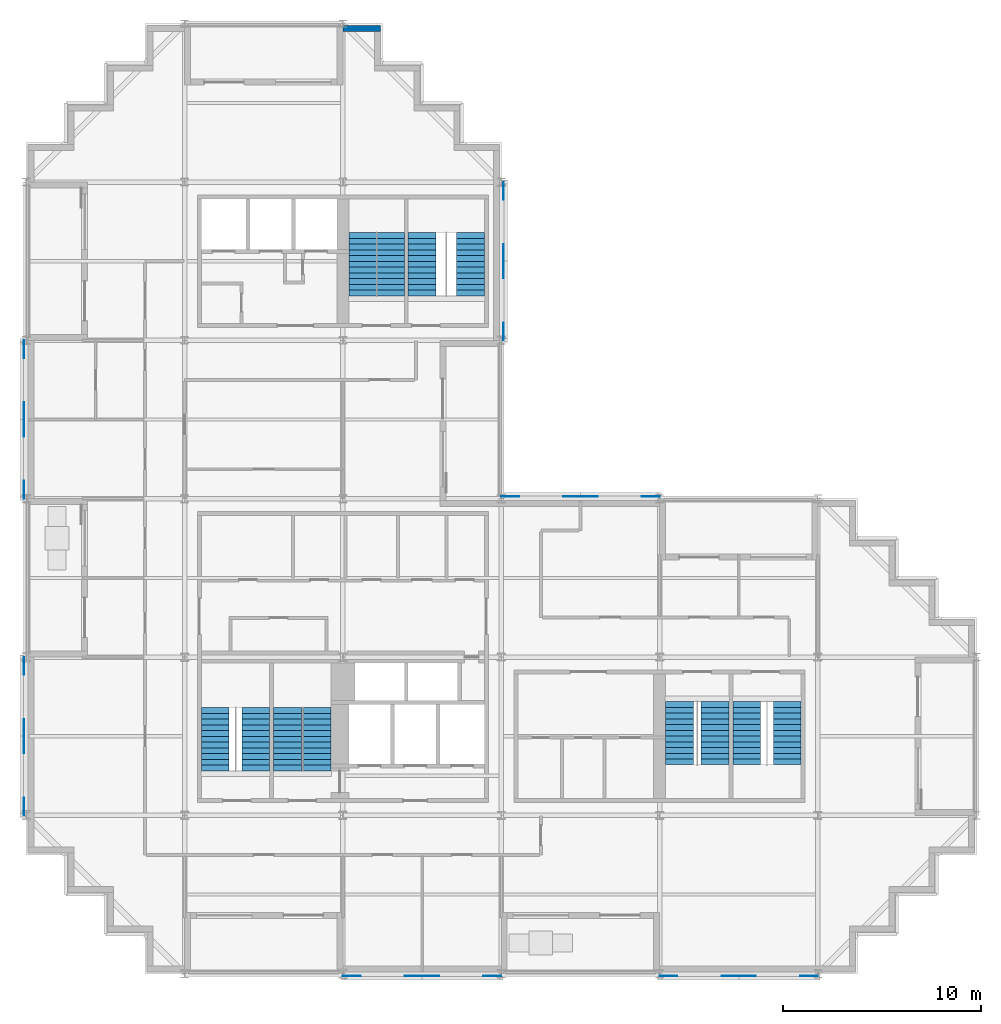
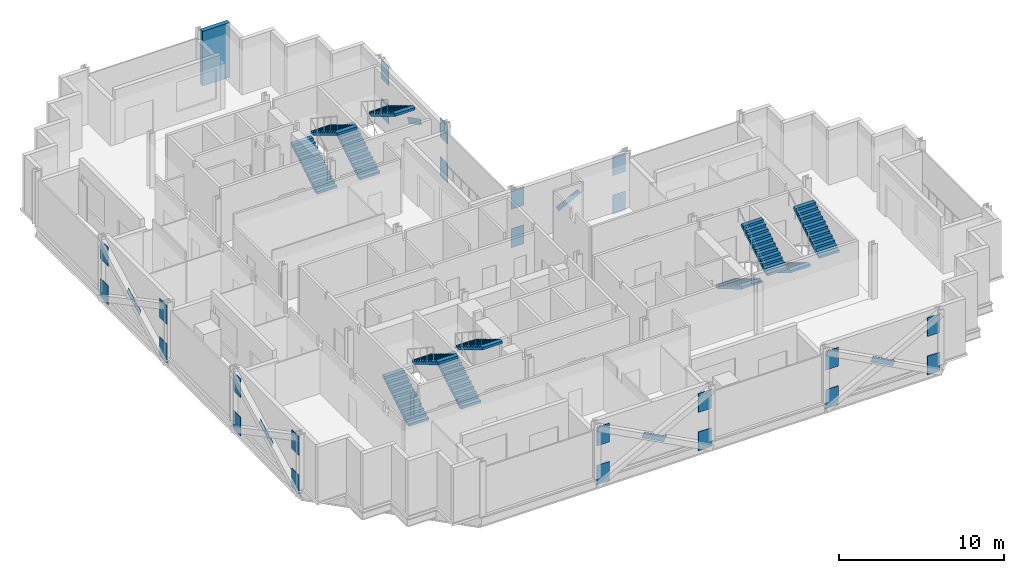
# One storey, part 9 of 12: 30 discrete accessories, 12 stair flights, 1 wall, 6 elements without a shape of their own.
"""IFC4 building model written with IfcOpenShell, lengths in metres."""

from ifc_helpers import new_model, si_unit, direction, frame, frame_2d, origin, origin_2d, place, context, subcontext, project, spatial, polyline, rectangle, outline, extrude, material, layer, layer_set, material_profile, profile_set, type_object, element, aggregate, save


model = new_model("IFC4")

# Units and contexts
model_context = context("Model", 3, precision=1e-05, world=origin(), true_north=direction((0.0, 1.0)))
body_context = subcontext(model_context, "Body", "Model", "MODEL_VIEW")
ifc_project = project(units=[si_unit("LENGTHUNIT", "METRE"), si_unit("AREAUNIT", "SQUARE_METRE"), si_unit("VOLUMEUNIT", "CUBIC_METRE"), si_unit("PLANEANGLEUNIT", "RADIAN"), si_unit("MASSUNIT", "GRAM", prefix="KILO")], contexts=[model_context])

# Site, building, storey
site_placement = place(None, origin())
site = spatial("IfcSite", under=ifc_project, at=site_placement, CompositionType="ELEMENT")
building_placement = place(site_placement, origin())
building = spatial("IfcBuilding", under=site, at=building_placement, Name="Immortelle Media Tower", CompositionType="ELEMENT")
storey_placement = place(building_placement, frame((0.0, 0.0, 149.39990234375)))
storey = spatial("IfcBuildingStorey", under=building, at=storey_placement, Name="L30", CompositionType="ELEMENT", Elevation=149.39990234375)

# Wall
ifc_material_1 = material(Name="Pale aluminium cladding panel", Category="aluminium")
ifc_layer_1 = layer(ifc_material_1, 0.030029296875)
ifc_material_2 = material(Name="Steel ASTM A653 SS Gr 50 stud frame with mineral wool", Category="steel")
ifc_layer_2 = layer(ifc_material_2, 0.257568359375)
ifc_material_3 = material(Name="Moisture-resistant gypsum board", Category="gypsum")
ifc_layer_3 = layer(ifc_material_3, 0.012451171875)
ifc_layer_set = layer_set([ifc_layer_1, ifc_layer_2, ifc_layer_3], Name="Steel ASTM A653 SS Gr 50 stud frame with mineral wool")
wall_type = type_object("IfcWallType", Name="Facade wall 300", PredefinedType="SOLIDWALL", material=ifc_layer_set)
wall_placement = place(storey_placement, frame((17.89990234375, 47.75, 0.0), z_axis=(0.0, 0.0, 1.0), x_axis=(-1.0, 0.0, 0.0)))
element("IfcWall", 1, at=wall_placement, inside=storey, type_object=wall_type, Name="Facade wall L30 N28", PredefinedType="SOLIDWALL", context=body_context, shape_type="SweptSolid", body=[
    extrude(rectangle(XDim=1.89990234375, YDim=0.300048828125, at=frame_2d((0.949951171875, 0.0))), origin(), (0.0, 0.0, 1.0), 4.050048828125),
])

# Stair, stair flights
ifc_material_4 = material(Name="Steel ASTM A992 Gr 50", Category="steel")
stair_type = type_object("IfcStairType", Name="Stair with flights", PredefinedType="DOUBLE_RETURN_STAIR", material=ifc_material_4)
stair_1_placement = place(storey_placement, origin())
stair_1 = element("IfcStair", 2, at=stair_1_placement, inside=storey, type_object=stair_type, Name="Exit stair SW1", PredefinedType="DOUBLE_RETURN_STAIR")
stair_flight_type = type_object("IfcStairFlightType", Name="Stair flight 1400", PredefinedType="STRAIGHT", material=ifc_material_4)
stair_flight_1_placement = place(storey_placement, frame((9.550048828125, 10.25, 0.0), z_axis=(0.0, 0.0, 1.0), x_axis=(0.0, 1.0, 0.0)))
stair_flight_1 = element("IfcStairFlight", 3, at=stair_flight_1_placement, type_object=stair_flight_type, Name="ST SW1 flight 1", NumberOfRisers=12, NumberOfTreads=11, PredefinedType="STRAIGHT", RiserHeight=0.175, TreadLength=0.29, context=body_context, shape_type="SweptSolid", body=[
    extrude(outline(polyline([(0.0, 0.0), (0.0, 0.175048828125), (0.2900390625, 0.175048828125), (0.2900390625, 0.35009765625), (0.580078125, 0.35009765625), (0.580078125, 0.52490234375), (0.8701171875, 0.52490234375), (0.8701171875, 0.699951171875), (1.159912109375, 0.699951171875), (1.159912109375, 0.875), (1.449951171875, 0.875), (1.449951171875, 1.050048828125), (1.739990234375, 1.050048828125), (1.739990234375, 1.22509765625), (2.030029296875, 1.22509765625), (2.030029296875, 1.39990234375), (2.320068359375, 1.39990234375), (2.320068359375, 1.574951171875), (2.610107421875, 1.574951171875), (2.610107421875, 1.75), (2.89990234375, 1.75), (2.89990234375, 1.925048828125), (3.18994140625, 1.925048828125), (3.18994140625, 2.10009765625), (3.18994140625, 1.75), (0.2900390625, 0.0), (0.0, 0.0)])), frame((0.0, 0.699951171875, 0.0), z_axis=(0.0, -1.0, 0.0), x_axis=(1.0, 0.0, 0.0)), (0.0, 0.0, 1.0), 1.39990234375),
])
stair_flight_2_placement = place(storey_placement, frame((11.60009765625, 13.43994140625, 2.10009765625), z_axis=(0.0, 0.0, 1.0), x_axis=(0.0, -1.0, 0.0)))
stair_flight_2 = element("IfcStairFlight", 4, at=stair_flight_2_placement, type_object=stair_flight_type, Name="ST SW1 flight 2", NumberOfRisers=12, NumberOfTreads=11, PredefinedType="STRAIGHT", RiserHeight=0.175, TreadLength=0.29, context=body_context, shape_type="SweptSolid", body=[
    extrude(outline(polyline([(0.0, 0.0), (0.0, 0.175048828125), (0.2900390625, 0.175048828125), (0.2900390625, 0.35009765625), (0.580078125, 0.35009765625), (0.580078125, 0.52490234375), (0.8701171875, 0.52490234375), (0.8701171875, 0.699951171875), (1.159912109375, 0.699951171875), (1.159912109375, 0.875), (1.449951171875, 0.875), (1.449951171875, 1.050048828125), (1.739990234375, 1.050048828125), (1.739990234375, 1.22509765625), (2.030029296875, 1.22509765625), (2.030029296875, 1.39990234375), (2.320068359375, 1.39990234375), (2.320068359375, 1.574951171875), (2.610107421875, 1.574951171875), (2.610107421875, 1.75), (2.89990234375, 1.75), (2.89990234375, 1.925048828125), (3.18994140625, 1.925048828125), (3.18994140625, 2.10009765625), (3.18994140625, 1.75), (0.2900390625, 0.0), (0.0, 0.0)])), frame((0.0, 0.699951171875, 0.0), z_axis=(0.0, -1.0, 0.0), x_axis=(1.0, 0.0, 0.0)), (0.0, 0.0, 1.0), 1.39990234375),
])
aggregate(stair_1, [stair_flight_1, stair_flight_2])

stair_2_placement = place(storey_placement, origin())
stair_2 = element("IfcStair", 5, at=stair_2_placement, inside=storey, type_object=stair_type, Name="Exit stair SW2", PredefinedType="DOUBLE_RETURN_STAIR")
stair_flight_3_placement = place(storey_placement, frame((13.199951171875, 10.25, 0.0), z_axis=(0.0, 0.0, 1.0), x_axis=(0.0, 1.0, 0.0)))
stair_flight_3 = element("IfcStairFlight", 6, at=stair_flight_3_placement, type_object=stair_flight_type, Name="ST SW2 flight 1", NumberOfRisers=12, NumberOfTreads=11, PredefinedType="STRAIGHT", RiserHeight=0.175, TreadLength=0.29, context=body_context, shape_type="SweptSolid", body=[
    extrude(outline(polyline([(0.0, 0.0), (0.0, 0.175048828125), (0.2900390625, 0.175048828125), (0.2900390625, 0.35009765625), (0.580078125, 0.35009765625), (0.580078125, 0.52490234375), (0.8701171875, 0.52490234375), (0.8701171875, 0.699951171875), (1.159912109375, 0.699951171875), (1.159912109375, 0.875), (1.449951171875, 0.875), (1.449951171875, 1.050048828125), (1.739990234375, 1.050048828125), (1.739990234375, 1.22509765625), (2.030029296875, 1.22509765625), (2.030029296875, 1.39990234375), (2.320068359375, 1.39990234375), (2.320068359375, 1.574951171875), (2.610107421875, 1.574951171875), (2.610107421875, 1.75), (2.89990234375, 1.75), (2.89990234375, 1.925048828125), (3.18994140625, 1.925048828125), (3.18994140625, 2.10009765625), (3.18994140625, 1.75), (0.2900390625, 0.0), (0.0, 0.0)])), frame((0.0, 0.699951171875, 0.0), z_axis=(0.0, -1.0, 0.0), x_axis=(1.0, 0.0, 0.0)), (0.0, 0.0, 1.0), 1.39990234375),
])
stair_flight_4_placement = place(storey_placement, frame((14.699951171875, 13.43994140625, 2.10009765625), z_axis=(0.0, 0.0, 1.0), x_axis=(0.0, -1.0, 0.0)))
stair_flight_4 = element("IfcStairFlight", 7, at=stair_flight_4_placement, type_object=stair_flight_type, Name="ST SW2 flight 2", NumberOfRisers=12, NumberOfTreads=11, PredefinedType="STRAIGHT", RiserHeight=0.175, TreadLength=0.29, context=body_context, shape_type="SweptSolid", body=[
    extrude(outline(polyline([(0.0, 0.0), (0.0, 0.175048828125), (0.2900390625, 0.175048828125), (0.2900390625, 0.35009765625), (0.580078125, 0.35009765625), (0.580078125, 0.52490234375), (0.8701171875, 0.52490234375), (0.8701171875, 0.699951171875), (1.159912109375, 0.699951171875), (1.159912109375, 0.875), (1.449951171875, 0.875), (1.449951171875, 1.050048828125), (1.739990234375, 1.050048828125), (1.739990234375, 1.22509765625), (2.030029296875, 1.22509765625), (2.030029296875, 1.39990234375), (2.320068359375, 1.39990234375), (2.320068359375, 1.574951171875), (2.610107421875, 1.574951171875), (2.610107421875, 1.75), (2.89990234375, 1.75), (2.89990234375, 1.925048828125), (3.18994140625, 1.925048828125), (3.18994140625, 2.10009765625), (3.18994140625, 1.75), (0.2900390625, 0.0), (0.0, 0.0)])), frame((0.0, 0.699951171875, 0.0), z_axis=(0.0, -1.0, 0.0), x_axis=(1.0, 0.0, 0.0)), (0.0, 0.0, 1.0), 1.39990234375),
])
aggregate(stair_2, [stair_flight_3, stair_flight_4])

stair_3_placement = place(storey_placement, origin())
stair_3 = element("IfcStair", 8, at=stair_3_placement, inside=storey, type_object=stair_type, Name="Exit stair SE1", PredefinedType="DOUBLE_RETURN_STAIR")
stair_flight_5_placement = place(storey_placement, frame((33.0, 13.75, 0.0), z_axis=(0.0, 0.0, 1.0), x_axis=(0.0, -1.0, 0.0)))
stair_flight_5 = element("IfcStairFlight", 9, at=stair_flight_5_placement, type_object=stair_flight_type, Name="ST SE1 flight 1", NumberOfRisers=12, NumberOfTreads=11, PredefinedType="STRAIGHT", RiserHeight=0.175, TreadLength=0.29, context=body_context, shape_type="SweptSolid", body=[
    extrude(outline(polyline([(0.0, 0.0), (0.0, 0.175048828125), (0.2900390625, 0.175048828125), (0.2900390625, 0.35009765625), (0.580078125, 0.35009765625), (0.580078125, 0.52490234375), (0.8701171875, 0.52490234375), (0.8701171875, 0.699951171875), (1.159912109375, 0.699951171875), (1.159912109375, 0.875), (1.449951171875, 0.875), (1.449951171875, 1.050048828125), (1.739990234375, 1.050048828125), (1.739990234375, 1.22509765625), (2.030029296875, 1.22509765625), (2.030029296875, 1.39990234375), (2.320068359375, 1.39990234375), (2.320068359375, 1.574951171875), (2.610107421875, 1.574951171875), (2.610107421875, 1.75), (2.89990234375, 1.75), (2.89990234375, 1.925048828125), (3.18994140625, 1.925048828125), (3.18994140625, 2.10009765625), (3.18994140625, 1.75), (0.2900390625, 0.0), (0.0, 0.0)])), frame((0.0, 0.699951171875, 0.0), z_axis=(0.0, -1.0, 0.0), x_axis=(1.0, 0.0, 0.0)), (0.0, 0.0, 1.0), 1.39990234375),
])
stair_flight_6_placement = place(storey_placement, frame((34.800048828125, 10.56005859375, 2.10009765625), z_axis=(0.0, 0.0, 1.0), x_axis=(0.0, 1.0, 0.0)))
stair_flight_6 = element("IfcStairFlight", 10, at=stair_flight_6_placement, type_object=stair_flight_type, Name="ST SE1 flight 2", NumberOfRisers=12, NumberOfTreads=11, PredefinedType="STRAIGHT", RiserHeight=0.175, TreadLength=0.29, context=body_context, shape_type="SweptSolid", body=[
    extrude(outline(polyline([(0.0, 0.0), (0.0, 0.175048828125), (0.2900390625, 0.175048828125), (0.2900390625, 0.35009765625), (0.580078125, 0.35009765625), (0.580078125, 0.52490234375), (0.8701171875, 0.52490234375), (0.8701171875, 0.699951171875), (1.159912109375, 0.699951171875), (1.159912109375, 0.875), (1.449951171875, 0.875), (1.449951171875, 1.050048828125), (1.739990234375, 1.050048828125), (1.739990234375, 1.22509765625), (2.030029296875, 1.22509765625), (2.030029296875, 1.39990234375), (2.320068359375, 1.39990234375), (2.320068359375, 1.574951171875), (2.610107421875, 1.574951171875), (2.610107421875, 1.75), (2.89990234375, 1.75), (2.89990234375, 1.925048828125), (3.18994140625, 1.925048828125), (3.18994140625, 2.10009765625), (3.18994140625, 1.75), (0.2900390625, 0.0), (0.0, 0.0)])), frame((0.0, 0.699951171875, 0.0), z_axis=(0.0, -1.0, 0.0), x_axis=(1.0, 0.0, 0.0)), (0.0, 0.0, 1.0), 1.39990234375),
])
aggregate(stair_3, [stair_flight_5, stair_flight_6])

stair_4_placement = place(storey_placement, origin())
stair_4 = element("IfcStair", 11, at=stair_4_placement, inside=storey, type_object=stair_type, Name="Exit stair SE2", PredefinedType="DOUBLE_RETURN_STAIR")
stair_flight_7_placement = place(storey_placement, frame((36.39990234375, 13.75, 0.0), z_axis=(0.0, 0.0, 1.0), x_axis=(0.0, -1.0, 0.0)))
stair_flight_7 = element("IfcStairFlight", 12, at=stair_flight_7_placement, type_object=stair_flight_type, Name="ST SE2 flight 1", NumberOfRisers=12, NumberOfTreads=11, PredefinedType="STRAIGHT", RiserHeight=0.175, TreadLength=0.29, context=body_context, shape_type="SweptSolid", body=[
    extrude(outline(polyline([(0.0, 0.0), (0.0, 0.175048828125), (0.2900390625, 0.175048828125), (0.2900390625, 0.35009765625), (0.580078125, 0.35009765625), (0.580078125, 0.52490234375), (0.8701171875, 0.52490234375), (0.8701171875, 0.699951171875), (1.159912109375, 0.699951171875), (1.159912109375, 0.875), (1.449951171875, 0.875), (1.449951171875, 1.050048828125), (1.739990234375, 1.050048828125), (1.739990234375, 1.22509765625), (2.030029296875, 1.22509765625), (2.030029296875, 1.39990234375), (2.320068359375, 1.39990234375), (2.320068359375, 1.574951171875), (2.610107421875, 1.574951171875), (2.610107421875, 1.75), (2.89990234375, 1.75), (2.89990234375, 1.925048828125), (3.18994140625, 1.925048828125), (3.18994140625, 2.10009765625), (3.18994140625, 1.75), (0.2900390625, 0.0), (0.0, 0.0)])), frame((0.0, 0.699951171875, 0.0), z_axis=(0.0, -1.0, 0.0), x_axis=(1.0, 0.0, 0.0)), (0.0, 0.0, 1.0), 1.39990234375),
])
stair_flight_8_placement = place(storey_placement, frame((38.449951171875, 10.56005859375, 2.10009765625), z_axis=(0.0, 0.0, 1.0), x_axis=(0.0, 1.0, 0.0)))
stair_flight_8 = element("IfcStairFlight", 13, at=stair_flight_8_placement, type_object=stair_flight_type, Name="ST SE2 flight 2", NumberOfRisers=12, NumberOfTreads=11, PredefinedType="STRAIGHT", RiserHeight=0.175, TreadLength=0.29, context=body_context, shape_type="SweptSolid", body=[
    extrude(outline(polyline([(0.0, 0.0), (0.0, 0.175048828125), (0.2900390625, 0.175048828125), (0.2900390625, 0.35009765625), (0.580078125, 0.35009765625), (0.580078125, 0.52490234375), (0.8701171875, 0.52490234375), (0.8701171875, 0.699951171875), (1.159912109375, 0.699951171875), (1.159912109375, 0.875), (1.449951171875, 0.875), (1.449951171875, 1.050048828125), (1.739990234375, 1.050048828125), (1.739990234375, 1.22509765625), (2.030029296875, 1.22509765625), (2.030029296875, 1.39990234375), (2.320068359375, 1.39990234375), (2.320068359375, 1.574951171875), (2.610107421875, 1.574951171875), (2.610107421875, 1.75), (2.89990234375, 1.75), (2.89990234375, 1.925048828125), (3.18994140625, 1.925048828125), (3.18994140625, 2.10009765625), (3.18994140625, 1.75), (0.2900390625, 0.0), (0.0, 0.0)])), frame((0.0, 0.699951171875, 0.0), z_axis=(0.0, -1.0, 0.0), x_axis=(1.0, 0.0, 0.0)), (0.0, 0.0, 1.0), 1.39990234375),
])
aggregate(stair_4, [stair_flight_7, stair_flight_8])

stair_5_placement = place(storey_placement, origin())
stair_5 = element("IfcStair", 14, at=stair_5_placement, inside=storey, type_object=stair_type, Name="Exit stair NW1", PredefinedType="DOUBLE_RETURN_STAIR")
stair_flight_9_placement = place(storey_placement, frame((17.0, 34.25, 0.0), z_axis=(0.0, 0.0, 1.0), x_axis=(0.0, 1.0, 0.0)))
stair_flight_9 = element("IfcStairFlight", 15, at=stair_flight_9_placement, type_object=stair_flight_type, Name="ST NW1 flight 1", NumberOfRisers=12, NumberOfTreads=11, PredefinedType="STRAIGHT", RiserHeight=0.175, TreadLength=0.29, context=body_context, shape_type="SweptSolid", body=[
    extrude(outline(polyline([(0.0, 0.0), (0.0, 0.175048828125), (0.2900390625, 0.175048828125), (0.2900390625, 0.35009765625), (0.580078125, 0.35009765625), (0.580078125, 0.52490234375), (0.8701171875, 0.52490234375), (0.8701171875, 0.699951171875), (1.159912109375, 0.699951171875), (1.159912109375, 0.875), (1.449951171875, 0.875), (1.449951171875, 1.050048828125), (1.739990234375, 1.050048828125), (1.739990234375, 1.22509765625), (2.030029296875, 1.22509765625), (2.030029296875, 1.39990234375), (2.320068359375, 1.39990234375), (2.320068359375, 1.574951171875), (2.610107421875, 1.574951171875), (2.610107421875, 1.75), (2.89990234375, 1.75), (2.89990234375, 1.925048828125), (3.18994140625, 1.925048828125), (3.18994140625, 2.10009765625), (3.18994140625, 1.75), (0.2900390625, 0.0), (0.0, 0.0)])), frame((0.0, 0.699951171875, 0.0), z_axis=(0.0, -1.0, 0.0), x_axis=(1.0, 0.0, 0.0)), (0.0, 0.0, 1.0), 1.39990234375),
])
stair_flight_10_placement = place(storey_placement, frame((18.39990234375, 37.43994140625, 2.10009765625), z_axis=(0.0, 0.0, 1.0), x_axis=(0.0, -1.0, 0.0)))
stair_flight_10 = element("IfcStairFlight", 16, at=stair_flight_10_placement, type_object=stair_flight_type, Name="ST NW1 flight 2", NumberOfRisers=12, NumberOfTreads=11, PredefinedType="STRAIGHT", RiserHeight=0.175, TreadLength=0.29, context=body_context, shape_type="SweptSolid", body=[
    extrude(outline(polyline([(0.0, 0.0), (0.0, 0.175048828125), (0.2900390625, 0.175048828125), (0.2900390625, 0.35009765625), (0.580078125, 0.35009765625), (0.580078125, 0.52490234375), (0.8701171875, 0.52490234375), (0.8701171875, 0.699951171875), (1.159912109375, 0.699951171875), (1.159912109375, 0.875), (1.449951171875, 0.875), (1.449951171875, 1.050048828125), (1.739990234375, 1.050048828125), (1.739990234375, 1.22509765625), (2.030029296875, 1.22509765625), (2.030029296875, 1.39990234375), (2.320068359375, 1.39990234375), (2.320068359375, 1.574951171875), (2.610107421875, 1.574951171875), (2.610107421875, 1.75), (2.89990234375, 1.75), (2.89990234375, 1.925048828125), (3.18994140625, 1.925048828125), (3.18994140625, 2.10009765625), (3.18994140625, 1.75), (0.2900390625, 0.0), (0.0, 0.0)])), frame((0.0, 0.699951171875, 0.0), z_axis=(0.0, -1.0, 0.0), x_axis=(1.0, 0.0, 0.0)), (0.0, 0.0, 1.0), 1.39990234375),
])
aggregate(stair_5, [stair_flight_9, stair_flight_10])

stair_6_placement = place(storey_placement, origin())
stair_6 = element("IfcStair", 17, at=stair_6_placement, inside=storey, type_object=stair_type, Name="Exit stair NW2", PredefinedType="DOUBLE_RETURN_STAIR")
stair_flight_11_placement = place(storey_placement, frame((20.0, 34.25, 0.0), z_axis=(0.0, 0.0, 1.0), x_axis=(0.0, 1.0, 0.0)))
stair_flight_11 = element("IfcStairFlight", 18, at=stair_flight_11_placement, type_object=stair_flight_type, Name="ST NW2 flight 1", NumberOfRisers=12, NumberOfTreads=11, PredefinedType="STRAIGHT", RiserHeight=0.175, TreadLength=0.29, context=body_context, shape_type="SweptSolid", body=[
    extrude(outline(polyline([(0.0, 0.0), (0.0, 0.175048828125), (0.2900390625, 0.175048828125), (0.2900390625, 0.35009765625), (0.580078125, 0.35009765625), (0.580078125, 0.52490234375), (0.8701171875, 0.52490234375), (0.8701171875, 0.699951171875), (1.159912109375, 0.699951171875), (1.159912109375, 0.875), (1.449951171875, 0.875), (1.449951171875, 1.050048828125), (1.739990234375, 1.050048828125), (1.739990234375, 1.22509765625), (2.030029296875, 1.22509765625), (2.030029296875, 1.39990234375), (2.320068359375, 1.39990234375), (2.320068359375, 1.574951171875), (2.610107421875, 1.574951171875), (2.610107421875, 1.75), (2.89990234375, 1.75), (2.89990234375, 1.925048828125), (3.18994140625, 1.925048828125), (3.18994140625, 2.10009765625), (3.18994140625, 1.75), (0.2900390625, 0.0), (0.0, 0.0)])), frame((0.0, 0.699951171875, 0.0), z_axis=(0.0, -1.0, 0.0), x_axis=(1.0, 0.0, 0.0)), (0.0, 0.0, 1.0), 1.39990234375),
])
stair_flight_12_placement = place(storey_placement, frame((22.449951171875, 37.43994140625, 2.10009765625), z_axis=(0.0, 0.0, 1.0), x_axis=(0.0, -1.0, 0.0)))
stair_flight_12 = element("IfcStairFlight", 19, at=stair_flight_12_placement, type_object=stair_flight_type, Name="ST NW2 flight 2", NumberOfRisers=12, NumberOfTreads=11, PredefinedType="STRAIGHT", RiserHeight=0.175, TreadLength=0.29, context=body_context, shape_type="SweptSolid", body=[
    extrude(outline(polyline([(0.0, 0.0), (0.0, 0.175048828125), (0.2900390625, 0.175048828125), (0.2900390625, 0.35009765625), (0.580078125, 0.35009765625), (0.580078125, 0.52490234375), (0.8701171875, 0.52490234375), (0.8701171875, 0.699951171875), (1.159912109375, 0.699951171875), (1.159912109375, 0.875), (1.449951171875, 0.875), (1.449951171875, 1.050048828125), (1.739990234375, 1.050048828125), (1.739990234375, 1.22509765625), (2.030029296875, 1.22509765625), (2.030029296875, 1.39990234375), (2.320068359375, 1.39990234375), (2.320068359375, 1.574951171875), (2.610107421875, 1.574951171875), (2.610107421875, 1.75), (2.89990234375, 1.75), (2.89990234375, 1.925048828125), (3.18994140625, 1.925048828125), (3.18994140625, 2.10009765625), (3.18994140625, 1.75), (0.2900390625, 0.0), (0.0, 0.0)])), frame((0.0, 0.699951171875, 0.0), z_axis=(0.0, -1.0, 0.0), x_axis=(1.0, 0.0, 0.0)), (0.0, 0.0, 1.0), 1.39990234375),
])
aggregate(stair_6, [stair_flight_11, stair_flight_12])

# Discrete accessories
ifc_material_5 = material(Name="Steel ASTM A572 Gr 50", Category="steel")
ifc_material_profile_1 = material_profile(ifc_material_5, rectangle(XDim=0.02392578125, YDim=0.406005859375, at=origin_2d()), Name="PL 24 x 406")
ifc_profile_set_1 = profile_set([ifc_material_profile_1], Name="Steel ASTM A572 Gr 50")
discrete_accessory_type_1 = type_object("IfcDiscreteAccessoryType", Name="Crossing plate XP-BR4 1750 x 406 x 24", PredefinedType="USERDEFINED", material=ifc_profile_set_1)
for number, where, z_axis, x_axis, name in (
    (20, (28.773193359375, 24.113037109375, 2.03369140625), (-0.883574054365, 0.0, -0.468291458873), (0.0, -1.0, 0.0), "Crossing plate XP-BR4 of Brace D/4-5 A and Brace D/4-5 B"),
    (21, (24.113037109375, 35.226806640625, 2.03369140625), (0.0, 0.883574054365, -0.468291458873), (-1.0, 0.0, 0.0), "Crossing plate XP-BR4 of Brace 4/E-F A and Brace 4/E-F B"),
    (22, (-0.113037109375, 28.773193359375, 2.03369140625), (0.0, -0.883574054365, -0.468291458873), (1.0, 0.0, 0.0), "Crossing plate XP-BR4 of Brace 1/D-E A and Brace 1/D-E B"),
    (23, (-0.113037109375, 12.773193359375, 2.03369140625), (0.0, -0.883574054365, -0.468291458873), (1.0, 0.0, 0.0), "Crossing plate XP-BR4 of Brace 1/B-C A and Brace 1/B-C B"),
    (24, (19.226806640625, -0.113037109375, 2.03369140625), (0.883574054365, 0.0, -0.468291458873), (0.0, 1.0, 0.0), "Crossing plate XP-BR4 of Brace A/3-4 A and Brace A/3-4 B"),
    (25, (35.226806640625, -0.113037109375, 2.03369140625), (0.883574054365, 0.0, -0.468291458873), (0.0, 1.0, 0.0), "Crossing plate XP-BR4 of Brace A/5-6 A and Brace A/5-6 B"),
):
    element("IfcDiscreteAccessory", number, at=place(storey_placement, frame(where, z_axis=z_axis, x_axis=x_axis)), inside=storey, type_object=discrete_accessory_type_1, Name=name, ObjectType="CROSSING PLATE", PredefinedType="USERDEFINED", context=body_context, shape_type="SweptSolid", body=[
        extrude(rectangle(XDim=0.02392578125, YDim=0.406005859375, at=origin_2d()), origin(), (0.0, 0.0, 1.0), 1.750244140625),
    ])
ifc_material_profile_2 = material_profile(ifc_material_5, rectangle(XDim=0.031982421875, YDim=1.39990234375, at=origin_2d()), Name="PL 32 x 1400")
ifc_profile_set_2 = profile_set([ifc_material_profile_2], Name="Steel ASTM A572 Gr 50")
discrete_accessory_type_2 = type_object("IfcDiscreteAccessoryType", Name="Gusset plate GP1 900 x 1400 x 32", PredefinedType="USERDEFINED", material=ifc_profile_set_2)
for number, where, z_axis, x_axis, name in (
    (26, (16.0, -0.113037109375, 0.20361328125), (1.0, 0.0, 0.0), (0.0, 1.0, 0.0), "Gusset plate GP1, lower end of Brace A/3-4 A"),
    (27, (24.0, -0.113037109375, 3.044189453125), (-1.0, 0.0, 0.0), (0.0, -1.0, 0.0), "Gusset plate GP1, upper end of Brace A/3-4 A"),
    (28, (24.0, -0.113037109375, 0.20361328125), (-1.0, 0.0, 0.0), (0.0, -1.0, 0.0), "Gusset plate GP1, lower end of Brace A/3-4 B"),
    (29, (16.0, -0.113037109375, 3.044189453125), (1.0, 0.0, 0.0), (0.0, 1.0, 0.0), "Gusset plate GP1, upper end of Brace A/3-4 B"),
    (30, (32.0, -0.113037109375, 0.20361328125), (1.0, 0.0, 0.0), (0.0, 1.0, 0.0), "Gusset plate GP1, lower end of Brace A/5-6 A"),
    (31, (40.0, -0.113037109375, 3.044189453125), (-1.0, 0.0, 0.0), (0.0, -1.0, 0.0), "Gusset plate GP1, upper end of Brace A/5-6 A"),
    (32, (40.0, -0.113037109375, 0.20361328125), (-1.0, 0.0, 0.0), (0.0, -1.0, 0.0), "Gusset plate GP1, lower end of Brace A/5-6 B"),
    (33, (32.0, -0.113037109375, 3.044189453125), (1.0, 0.0, 0.0), (0.0, 1.0, 0.0), "Gusset plate GP1, upper end of Brace A/5-6 B"),
    (34, (32.0, 24.113037109375, 0.20361328125), (-1.0, 0.0, 0.0), (0.0, -1.0, 0.0), "Gusset plate GP1, lower end of Brace D/4-5 A"),
    (35, (24.0, 24.113037109375, 3.044189453125), (1.0, 0.0, 0.0), (0.0, 1.0, 0.0), "Gusset plate GP1, upper end of Brace D/4-5 A"),
    (36, (24.0, 24.113037109375, 0.20361328125), (1.0, 0.0, 0.0), (0.0, 1.0, 0.0), "Gusset plate GP1, lower end of Brace D/4-5 B"),
    (37, (32.0, 24.113037109375, 3.044189453125), (-1.0, 0.0, 0.0), (0.0, -1.0, 0.0), "Gusset plate GP1, upper end of Brace D/4-5 B"),
    (38, (24.113037109375, 32.0, 0.20361328125), (0.0, 1.0, 0.0), (-1.0, 0.0, 0.0), "Gusset plate GP1, lower end of Brace 4/E-F A"),
    (39, (24.113037109375, 40.0, 3.044189453125), (0.0, -1.0, 0.0), (1.0, 0.0, 0.0), "Gusset plate GP1, upper end of Brace 4/E-F A"),
    (40, (24.113037109375, 40.0, 0.20361328125), (0.0, -1.0, 0.0), (1.0, 0.0, 0.0), "Gusset plate GP1, lower end of Brace 4/E-F B"),
    (41, (24.113037109375, 32.0, 3.044189453125), (0.0, 1.0, 0.0), (-1.0, 0.0, 0.0), "Gusset plate GP1, upper end of Brace 4/E-F B"),
    (42, (-0.113037109375, 32.0, 0.20361328125), (0.0, -1.0, 0.0), (1.0, 0.0, 0.0), "Gusset plate GP1, lower end of Brace 1/D-E A"),
    (43, (-0.113037109375, 24.0, 3.044189453125), (0.0, 1.0, 0.0), (-1.0, 0.0, 0.0), "Gusset plate GP1, upper end of Brace 1/D-E A"),
    (44, (-0.113037109375, 24.0, 0.20361328125), (0.0, 1.0, 0.0), (-1.0, 0.0, 0.0), "Gusset plate GP1, lower end of Brace 1/D-E B"),
    (45, (-0.113037109375, 32.0, 3.044189453125), (0.0, -1.0, 0.0), (1.0, 0.0, 0.0), "Gusset plate GP1, upper end of Brace 1/D-E B"),
    (46, (-0.113037109375, 16.0, 0.20361328125), (0.0, -1.0, 0.0), (1.0, 0.0, 0.0), "Gusset plate GP1, lower end of Brace 1/B-C A"),
    (47, (-0.113037109375, 8.0, 3.044189453125), (0.0, 1.0, 0.0), (-1.0, 0.0, 0.0), "Gusset plate GP1, upper end of Brace 1/B-C A"),
    (48, (-0.113037109375, 8.0, 0.20361328125), (0.0, 1.0, 0.0), (-1.0, 0.0, 0.0), "Gusset plate GP1, lower end of Brace 1/B-C B"),
    (49, (-0.113037109375, 16.0, 3.044189453125), (0.0, -1.0, 0.0), (1.0, 0.0, 0.0), "Gusset plate GP1, upper end of Brace 1/B-C B"),
):
    element("IfcDiscreteAccessory", number, at=place(storey_placement, frame(where, z_axis=z_axis, x_axis=x_axis)), inside=storey, type_object=discrete_accessory_type_2, Name=name, ObjectType="GUSSET PLATE", PredefinedType="USERDEFINED", context=body_context, shape_type="SweptSolid", body=[
        extrude(rectangle(XDim=0.031982421875, YDim=1.39990234375, at=origin_2d()), origin(), (0.0, 0.0, 1.0), 0.89990234375),
    ])

save(model, "model.ifc")
